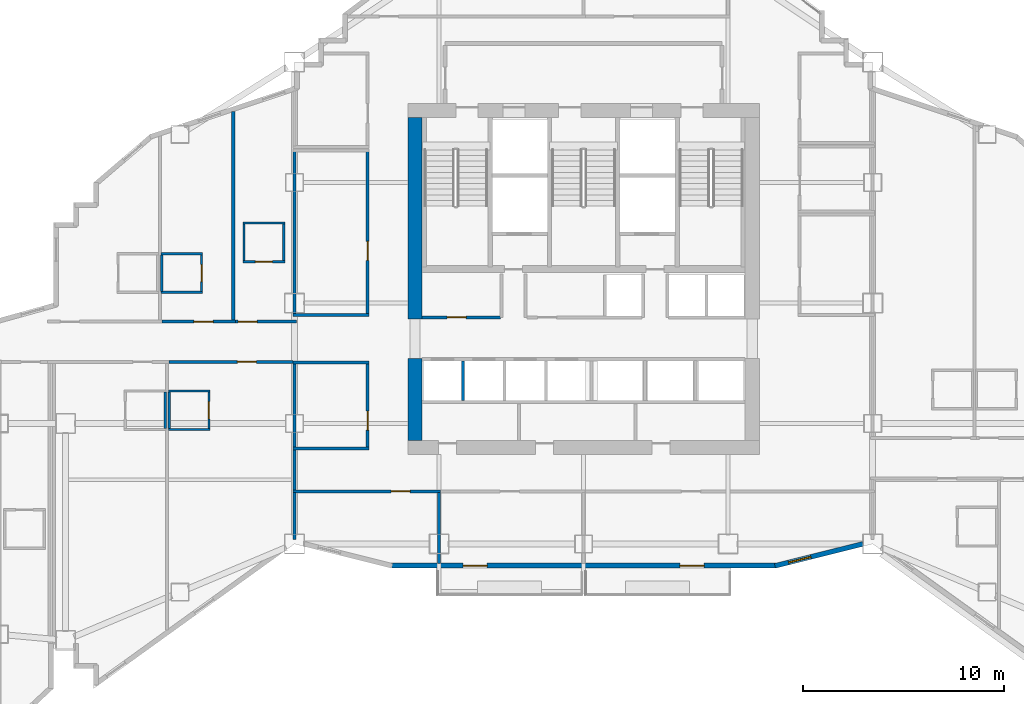
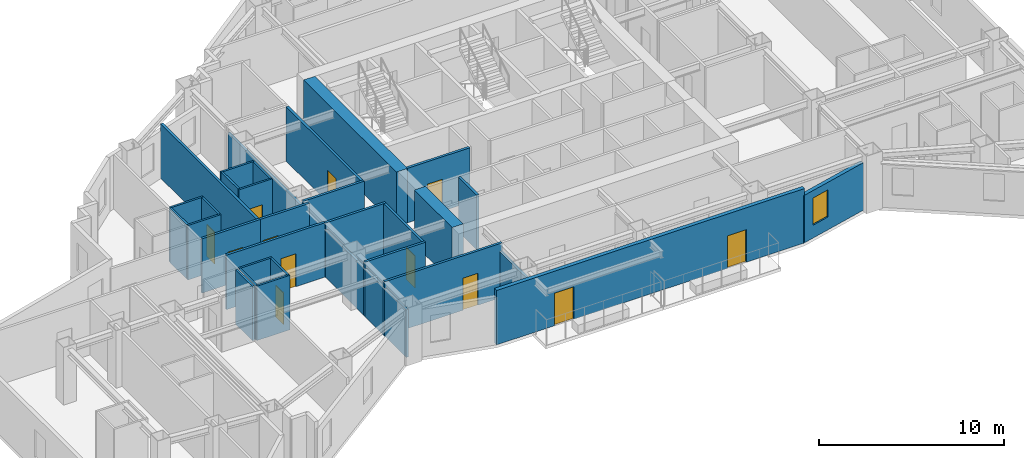
# One storey, part 8 of 14: 34 walls, 12 doors, 1 window, 13 openings.
"""IFC4 building model written with IfcOpenShell, lengths in metres."""

from ifc_helpers import new_model, si_unit, direction, frame, frame_2d, origin, place, context, subcontext, project, spatial, rectangle, extrude, material, layer, layer_set, type_object, element, fill, save


model = new_model("IFC4")

# Units and contexts
model_context = context("Model", 3, precision=1e-05, world=origin(), true_north=direction((0.0, 1.0)))
body_context = subcontext(model_context, "Body", "Model", "MODEL_VIEW")
ifc_project = project(units=[si_unit("LENGTHUNIT", "METRE"), si_unit("AREAUNIT", "SQUARE_METRE"), si_unit("VOLUMEUNIT", "CUBIC_METRE"), si_unit("PLANEANGLEUNIT", "RADIAN"), si_unit("MASSUNIT", "GRAM", prefix="KILO")], contexts=[model_context])

# Site, building, storey
site_placement = place(None, origin())
site = spatial("IfcSite", under=ifc_project, at=site_placement, CompositionType="ELEMENT")
building_placement = place(site_placement, origin())
building = spatial("IfcBuilding", under=site, at=building_placement, Name="Haolan Belvedere Tower", CompositionType="ELEMENT")
storey_placement = place(building_placement, frame((0.0, 0.0, 144.800048828125)))
storey = spatial("IfcBuildingStorey", under=building, at=storey_placement, Name="L36", CompositionType="ELEMENT", Elevation=144.800048828125)

# Walls
ifc_material_1 = material(Name="Concrete C60/75", Category="concrete")
ifc_layer_1 = layer(ifc_material_1, 0.699951171875, Name="Concrete C60/75")
ifc_layer_set_1 = layer_set([ifc_layer_1], Name="Concrete C60/75")
wall_type_1 = type_object("IfcWallType", Name="WL-CORE-700", PredefinedType="SHEAR", material=ifc_layer_set_1)
wall_1_placement = place(storey_placement, frame((30.0, 26.75, 0.0), z_axis=(0.0, 0.0, 1.0), x_axis=(0.0, 1.0, 0.0)))
element("IfcWall", 1, at=wall_1_placement, inside=storey, type_object=wall_type_1, Name="L36 central core shear wall WS", PredefinedType="SHEAR", context=body_context, shape_type="SweptSolid", body=[
    extrude(rectangle(XDim=4.10009765625, YDim=0.699951171875, at=frame_2d((2.050048828125, 0.0))), origin(), (0.0, 0.0, 1.0), 3.599853515625),
])
wall_2_placement = place(storey_placement, frame((30.0, 32.800048828125, 0.0), z_axis=(0.0, 0.0, 1.0), x_axis=(0.0, 1.0, 0.0)))
element("IfcWall", 2, at=wall_2_placement, inside=storey, type_object=wall_type_1, Name="L36 central core shear wall WN", PredefinedType="SHEAR", context=body_context, shape_type="SweptSolid", body=[
    extrude(rectangle(XDim=10.050048828125, YDim=0.699951171875, at=frame_2d((5.02490234375, 0.0))), origin(), (0.0, 0.0, 1.0), 3.599853515625),
])

# Wall, openings, doors
ifc_material_2 = material(Name="Precast concrete C40/50", Category="concrete")
ifc_layer_2 = layer(ifc_material_2, 0.239990234375, Name="Precast concrete C40/50")
ifc_layer_set_2 = layer_set([ifc_layer_2], Name="Precast concrete C40/50")
wall_type_2 = type_object("IfcWallType", Name="WL-EXT-240", PredefinedType="SOLIDWALL", material=ifc_layer_set_2)
wall_3_placement = place(storey_placement, frame((28.759765625, 20.52001953125, 0.0), z_axis=(0.0, 0.0, 1.0), x_axis=(1.0, 0.0, 0.0)))
wall_3 = element("IfcWall", 3, at=wall_3_placement, inside=storey, type_object=wall_type_2, Name="L36 pale-metal exterior spandrel wall 7.1", PredefinedType="SOLIDWALL", context=body_context, shape_type="SweptSolid", body=[
    extrude(rectangle(XDim=19.280517578125, YDim=0.239990234375, at=frame_2d((9.64013671875, 0.0))), origin(), (0.0, 0.0, 1.0), 3.599853515625),
])
opening_1_placement = place(wall_3_placement, frame((4.840087890625, 0.0, 0.0), z_axis=(0.0, 0.0, 1.0), x_axis=(-1.0, 0.0, 0.0)))
opening_1 = element("IfcOpeningElement", 4, at=opening_1_placement, cuts=wall_3, Name="Opening BD-01", PredefinedType="OPENING", context=body_context, shape_type="SweptSolid", body=[
    extrude(rectangle(XDim=1.199951171875, YDim=2.14990234375, at=frame_2d((0.60009765625, 1.074951171875))), frame((0.0, 0.1298828125, 0.0), z_axis=(0.0, -1.0, 0.0), x_axis=(1.0, 0.0, 0.0)), (0.0, 0.0, 1.0), 0.260009765625),
])
opening_2_placement = place(wall_3_placement, frame((15.64013671875, 0.0, 0.0), z_axis=(0.0, 0.0, 1.0), x_axis=(-1.0, 0.0, 0.0)))
opening_2 = element("IfcOpeningElement", 5, at=opening_2_placement, cuts=wall_3, Name="Opening BD-01", PredefinedType="OPENING", context=body_context, shape_type="SweptSolid", body=[
    extrude(rectangle(XDim=1.199951171875, YDim=2.14990234375, at=frame_2d((0.60009765625, 1.074951171875))), frame((0.0, 0.1298828125, 0.0), z_axis=(0.0, -1.0, 0.0), x_axis=(1.0, 0.0, 0.0)), (0.0, 0.0, 1.0), 0.260009765625),
])
ifc_material_3 = material(Name="Thermally broken pale-metal aluminium and Low-E glass", Category="aluminium")
door_type_1 = type_object("IfcDoorType", Name="DR-BAL-1200", OperationType="NOTDEFINED", PredefinedType="DOOR", material=ifc_material_3)
door_1_placement = place(opening_1_placement, origin())
door_1 = element("IfcDoor", 6, at=door_1_placement, inside=storey, type_object=door_type_1, Name="L36 tree-balcony access door 1", OperationType="SINGLE_SWING_RIGHT", OverallHeight=2.14990234375, OverallWidth=1.199951171875, PredefinedType="DOOR", context=body_context, shape_type="SweptSolid", body=[
    extrude(rectangle(XDim=1.199951171875, YDim=2.14990234375, at=frame_2d((0.60009765625, 1.074951171875))), frame((0.0, 0.02490234375, 0.0), z_axis=(0.0, -1.0, 0.0), x_axis=(1.0, 0.0, 0.0)), (0.0, 0.0, 1.0), 0.050048828125),
])
fill(opening_1, door_1)
door_2_placement = place(opening_2_placement, origin())
door_2 = element("IfcDoor", 7, at=door_2_placement, inside=storey, type_object=door_type_1, Name="L36 tree-balcony access door 2", OperationType="SINGLE_SWING_LEFT", OverallHeight=2.14990234375, OverallWidth=1.199951171875, PredefinedType="DOOR", context=body_context, shape_type="SweptSolid", body=[
    extrude(rectangle(XDim=1.199951171875, YDim=2.14990234375, at=frame_2d((0.60009765625, 1.074951171875))), frame((0.0, 0.02490234375, 0.0), z_axis=(0.0, -1.0, 0.0), x_axis=(1.0, 0.0, 0.0)), (0.0, 0.0, 1.0), 0.050048828125),
])
fill(opening_2, door_2)

# Wall, opening, window
wall_4_placement = place(storey_placement, frame((47.931884765625, 20.506591796875, 0.0), z_axis=(0.0, 0.0, 1.0), x_axis=(0.970145683738, 0.242522890311, 0.0)))
wall_4 = element("IfcWall", 8, at=wall_4_placement, inside=storey, type_object=wall_type_2, Name="L36 pale-metal exterior spandrel wall 8.1", PredefinedType="SOLIDWALL", context=body_context, shape_type="SweptSolid", body=[
    extrude(rectangle(XDim=4.510986328125, YDim=0.239990234375, at=frame_2d((2.25537109375, 0.0))), origin(), (0.0, 0.0, 1.0), 3.14501953125),
])
opening_3_placement = place(wall_4_placement, frame((0.699951171875, 0.0, 0.85009765625)))
opening_3 = element("IfcOpeningElement", 9, at=opening_3_placement, cuts=wall_4, Name="Opening W-02", PredefinedType="OPENING", context=body_context, shape_type="SweptSolid", body=[
    extrude(rectangle(XDim=1.14990234375, YDim=1.800048828125, at=frame_2d((0.574951171875, 0.89990234375))), frame((0.0, 0.1298828125, 0.0), z_axis=(0.0, -1.0, 0.0), x_axis=(1.0, 0.0, 0.0)), (0.0, 0.0, 1.0), 0.260009765625),
])
ifc_material_4 = material(Name="Anodised aluminium 6063-T6 and Low-E glass", Category="aluminium")
window_type = type_object("IfcWindowType", Name="WN-DECO-Z2", PartitioningType="SINGLE_PANEL", PredefinedType="WINDOW", material=ifc_material_4)
window_placement = place(opening_3_placement, origin())
window = element("IfcWindow", 10, at=window_placement, inside=storey, type_object=window_type, Name="L36 Art Deco chevron window 1", OverallHeight=1.800048828125, OverallWidth=1.14990234375, PartitioningType="SINGLE_PANEL", PredefinedType="WINDOW", context=body_context, shape_type="SweptSolid", body=[
    extrude(rectangle(XDim=1.14990234375, YDim=1.800048828125, at=frame_2d((0.574951171875, 0.89990234375))), frame((0.0, 0.030029296875, 0.0), z_axis=(0.0, -1.0, 0.0), x_axis=(1.0, 0.0, 0.0)), (0.0, 0.0, 1.0), 0.06005859375),
])
fill(opening_3, window)

# Walls
ifc_material_5 = material(Name="Double gypsum acoustic stud partition", Category="masonry")
ifc_layer_3 = layer(ifc_material_5, 0.14990234375, Name="Double gypsum acoustic stud partition")
ifc_layer_set_3 = layer_set([ifc_layer_3], Name="Double gypsum acoustic stud partition")
wall_type_3 = type_object("IfcWallType", Name="WL-PART-150", PredefinedType="PARTITIONING", material=ifc_layer_set_3)
wall_5_placement = place(storey_placement, frame((23.919921875, 33.0, 0.0), z_axis=(0.0, 0.0, 1.0), x_axis=(1.0, 0.0, 0.0)))
element("IfcWall", 11, at=wall_5_placement, inside=storey, type_object=wall_type_3, Name="L36 interior partition IW-L36-SAL-S", PredefinedType="PARTITIONING", context=body_context, shape_type="SweptSolid", body=[
    extrude(rectangle(XDim=3.800048828125, YDim=0.14990234375, at=frame_2d((1.89990234375, 0.0))), origin(), (0.0, 0.0, 1.0), 3.599853515625),
])
wall_6_placement = place(storey_placement, frame((24.0, 33.06005859375, 0.0), z_axis=(0.0, 0.0, 1.0), x_axis=(0.0, 1.0, 0.0)))
element("IfcWall", 12, at=wall_6_placement, inside=storey, type_object=wall_type_3, Name="L36 interior partition IW-L36-SAL-W", PredefinedType="PARTITIONING", context=body_context, shape_type="SweptSolid", body=[
    extrude(rectangle(XDim=8.079833984375, YDim=0.14990234375, at=frame_2d((4.0400390625, 0.0))), origin(), (0.0, 0.0, 1.0), 3.14501953125),
])

# Wall, opening, door
wall_7_placement = place(storey_placement, frame((27.639892578125, 33.06005859375, 0.0), z_axis=(0.0, 0.0, 1.0), x_axis=(0.0, 1.0, 0.0)))
wall_7 = element("IfcWall", 13, at=wall_7_placement, inside=storey, type_object=wall_type_3, Name="L36 interior partition IW-L36-SAL-E", PredefinedType="PARTITIONING", context=body_context, shape_type="SweptSolid", body=[
    extrude(rectangle(XDim=8.079833984375, YDim=0.14990234375, at=frame_2d((4.0400390625, 0.0))), origin(), (0.0, 0.0, 1.0), 3.599853515625),
])
opening_4_placement = place(wall_7_placement, frame((3.60986328125, 0.0, 0.0), z_axis=(0.0, 0.0, 1.0), x_axis=(-1.0, 0.0, 0.0)))
opening_4 = element("IfcOpeningElement", 14, at=opening_4_placement, cuts=wall_7, Name="Opening ID-03", PredefinedType="OPENING", context=body_context, shape_type="SweptSolid", body=[
    extrude(rectangle(XDim=0.949951171875, YDim=2.1201171875, at=frame_2d((0.47509765625, 1.06005859375))), frame((0.0, 0.0849609375, 0.0), z_axis=(0.0, -1.0, 0.0), x_axis=(1.0, 0.0, 0.0)), (0.0, 0.0, 1.0), 0.169921875),
])
ifc_material_6 = material(Name="Painted solid-core timber", Category="wood")
door_type_2 = type_object("IfcDoorType", Name="DR-INT-950", OperationType="NOTDEFINED", PredefinedType="DOOR", material=ifc_material_6)
door_3_placement = place(opening_4_placement, origin())
door_3 = element("IfcDoor", 15, at=door_3_placement, inside=storey, type_object=door_type_2, Name="L36 door ID-L36-SAL", OperationType="SINGLE_SWING_LEFT", OverallHeight=2.1201171875, OverallWidth=0.949951171875, PredefinedType="DOOR", context=body_context, shape_type="SweptSolid", body=[
    extrude(rectangle(XDim=0.949951171875, YDim=2.1201171875, at=frame_2d((0.47509765625, 1.06005859375))), frame((0.0, 0.02490234375, 0.0), z_axis=(0.0, -1.0, 0.0), x_axis=(1.0, 0.0, 0.0)), (0.0, 0.0, 1.0), 0.050048828125),
])
fill(opening_4, door_3)

# Walls
for number, where, z_axis, x_axis, name in (
    (16, (23.919921875, 30.6298828125, 0.0), (0.0, 0.0, 1.0), (1.0, 0.0, 0.0), "L36 interior partition IW-L36-PKTW-N"),
    (17, (23.919921875, 26.35009765625, 0.0), (0.0, 0.0, 1.0), (1.0, 0.0, 0.0), "L36 interior partition IW-L36-PKTW-S"),
):
    element("IfcWall", number, at=place(storey_placement, frame(where, z_axis=z_axis, x_axis=x_axis)), inside=storey, type_object=wall_type_3, Name=name, PredefinedType="PARTITIONING", context=body_context, shape_type="SweptSolid", body=[
        extrude(rectangle(XDim=3.800048828125, YDim=0.14990234375, at=frame_2d((1.89990234375, 0.0))), origin(), (0.0, 0.0, 1.0), 3.599853515625),
    ])
wall_8_placement = place(storey_placement, frame((24.0, 26.409912109375, 0.0), z_axis=(0.0, 0.0, 1.0), x_axis=(0.0, 1.0, 0.0)))
element("IfcWall", 18, at=wall_8_placement, inside=storey, type_object=wall_type_3, Name="L36 interior partition IW-L36-PKTW-W", PredefinedType="PARTITIONING", context=body_context, shape_type="SweptSolid", body=[
    extrude(rectangle(XDim=4.16015625, YDim=0.14990234375, at=frame_2d((2.080078125, 0.0))), origin(), (0.0, 0.0, 1.0), 3.14501953125),
])

# Wall, opening, door
wall_9_placement = place(storey_placement, frame((27.639892578125, 26.409912109375, 0.0), z_axis=(0.0, 0.0, 1.0), x_axis=(0.0, 1.0, 0.0)))
wall_9 = element("IfcWall", 19, at=wall_9_placement, inside=storey, type_object=wall_type_3, Name="L36 interior partition IW-L36-PKTW-E", PredefinedType="PARTITIONING", context=body_context, shape_type="SweptSolid", body=[
    extrude(rectangle(XDim=4.16015625, YDim=0.14990234375, at=frame_2d((2.080078125, 0.0))), origin(), (0.0, 0.0, 1.0), 3.599853515625),
])
opening_5_placement = place(wall_9_placement, frame((1.81005859375, 0.0, 0.0), z_axis=(0.0, 0.0, 1.0), x_axis=(-1.0, 0.0, 0.0)))
opening_5 = element("IfcOpeningElement", 20, at=opening_5_placement, cuts=wall_9, Name="Opening ID-03", PredefinedType="OPENING", context=body_context, shape_type="SweptSolid", body=[
    extrude(rectangle(XDim=0.949951171875, YDim=2.1201171875, at=frame_2d((0.47509765625, 1.06005859375))), frame((0.0, 0.0849609375, 0.0), z_axis=(0.0, -1.0, 0.0), x_axis=(1.0, 0.0, 0.0)), (0.0, 0.0, 1.0), 0.169921875),
])
door_4_placement = place(opening_5_placement, origin())
door_4 = element("IfcDoor", 21, at=door_4_placement, inside=storey, type_object=door_type_2, Name="L36 door ID-L36-PKTW", OperationType="SINGLE_SWING_LEFT", OverallHeight=2.1201171875, OverallWidth=0.949951171875, PredefinedType="DOOR", context=body_context, shape_type="SweptSolid", body=[
    extrude(rectangle(XDim=0.949951171875, YDim=2.1201171875, at=frame_2d((0.47509765625, 1.06005859375))), frame((0.0, 0.02490234375, 0.0), z_axis=(0.0, -1.0, 0.0), x_axis=(1.0, 0.0, 0.0)), (0.0, 0.0, 1.0), 0.050048828125),
])
fill(opening_5, door_4)

wall_10_placement = place(storey_placement, frame((23.919921875, 24.219970703125, 0.0), z_axis=(0.0, 0.0, 1.0), x_axis=(1.0, 0.0, 0.0)))
wall_10 = element("IfcWall", 22, at=wall_10_placement, inside=storey, type_object=wall_type_3, Name="L36 interior partition IW-L36-KS1-N", PredefinedType="PARTITIONING", context=body_context, shape_type="SweptSolid", body=[
    extrude(rectangle(XDim=7.360107421875, YDim=0.14990234375, at=frame_2d((3.68017578125, 0.0))), origin(), (0.0, 0.0, 1.0), 3.599853515625),
])
opening_6_placement = place(wall_10_placement, frame((5.844970703125, 0.0, 0.0), z_axis=(0.0, 0.0, 1.0), x_axis=(-1.0, 0.0, 0.0)))
opening_6 = element("IfcOpeningElement", 23, at=opening_6_placement, cuts=wall_10, Name="Opening ID-03", PredefinedType="OPENING", context=body_context, shape_type="SweptSolid", body=[
    extrude(rectangle(XDim=0.949951171875, YDim=2.1201171875, at=frame_2d((0.47509765625, 1.06005859375))), frame((0.0, 0.0849609375, 0.0), z_axis=(0.0, -1.0, 0.0), x_axis=(1.0, 0.0, 0.0)), (0.0, 0.0, 1.0), 0.169921875),
])
door_5_placement = place(opening_6_placement, origin())
door_5 = element("IfcDoor", 24, at=door_5_placement, inside=storey, type_object=door_type_2, Name="L36 door ID-L36-KS1", OperationType="SINGLE_SWING_RIGHT", OverallHeight=2.1201171875, OverallWidth=0.949951171875, PredefinedType="DOOR", context=body_context, shape_type="SweptSolid", body=[
    extrude(rectangle(XDim=0.949951171875, YDim=2.1201171875, at=frame_2d((0.47509765625, 1.06005859375))), frame((0.0, 0.02490234375, 0.0), z_axis=(0.0, -1.0, 0.0), x_axis=(1.0, 0.0, 0.0)), (0.0, 0.0, 1.0), 0.050048828125),
])
fill(opening_6, door_5)

# Walls
wall_11_placement = place(storey_placement, frame((24.0, 21.818603515625, 0.0), z_axis=(0.0, 0.0, 1.0), x_axis=(0.0, 1.0, 0.0)))
element("IfcWall", 25, at=wall_11_placement, inside=storey, type_object=wall_type_3, Name="L36 interior partition IW-L36-KS1-W", PredefinedType="PARTITIONING", context=body_context, shape_type="SweptSolid", body=[
    extrude(rectangle(XDim=2.34130859375, YDim=0.14990234375, at=frame_2d((1.170654296875, 0.0))), origin(), (0.0, 0.0, 1.0), 3.14501953125),
])
wall_12_placement = place(storey_placement, frame((31.199951171875, 20.625, 0.0), z_axis=(0.0, 0.0, 1.0), x_axis=(0.0, 1.0, 0.0)))
element("IfcWall", 26, at=wall_12_placement, inside=storey, type_object=wall_type_3, Name="L36 interior partition IW-L36-KS1-E", PredefinedType="PARTITIONING", context=body_context, shape_type="SweptSolid", body=[
    extrude(rectangle(XDim=3.534912109375, YDim=0.14990234375, at=frame_2d((1.767578125, 0.0))), origin(), (0.0, 0.0, 1.0), 3.0849609375),
])

# Wall, opening, door
wall_13_placement = place(storey_placement, frame((17.39208984375, 32.679931640625, 0.0), z_axis=(0.0, 0.0, 1.0), x_axis=(1.0, 0.0, 0.0)))
wall_13 = element("IfcWall", 27, at=wall_13_placement, inside=storey, type_object=wall_type_3, Name="L36 interior partition IW-L36-T2N2-S", PredefinedType="PARTITIONING", context=body_context, shape_type="SweptSolid", body=[
    extrude(rectangle(XDim=3.657958984375, YDim=0.14990234375, at=frame_2d((1.8291015625, 0.0))), origin(), (0.0, 0.0, 1.0), 3.599853515625),
])
opening_7_placement = place(wall_13_placement, frame((1.6005859375, 0.0, 0.0)))
opening_7 = element("IfcOpeningElement", 28, at=opening_7_placement, cuts=wall_13, Name="Opening ID-02", PredefinedType="OPENING", context=body_context, shape_type="SweptSolid", body=[
    extrude(rectangle(XDim=0.949951171875, YDim=2.14990234375, at=frame_2d((0.47509765625, 1.074951171875))), frame((0.0, 0.0849609375, 0.0), z_axis=(0.0, -1.0, 0.0), x_axis=(1.0, 0.0, 0.0)), (0.0, 0.0, 1.0), 0.169921875),
])
ifc_material_7 = material(Name="Acoustic oak veneer fire-rated timber", Category="wood")
door_type_3 = type_object("IfcDoorType", Name="DR-GUEST-950", OperationType="NOTDEFINED", PredefinedType="DOOR", material=ifc_material_7)
door_6_placement = place(opening_7_placement, origin())
door_6 = element("IfcDoor", 29, at=door_6_placement, inside=storey, type_object=door_type_3, Name="L36 door ID-L36-T2N2-ENT", OperationType="SINGLE_SWING_LEFT", OverallHeight=2.14990234375, OverallWidth=0.949951171875, PredefinedType="DOOR", context=body_context, shape_type="SweptSolid", body=[
    extrude(rectangle(XDim=0.949951171875, YDim=2.14990234375, at=frame_2d((0.47509765625, 1.074951171875))), frame((0.0, 0.02490234375, 0.0), z_axis=(0.0, -1.0, 0.0), x_axis=(1.0, 0.0, 0.0)), (0.0, 0.0, 1.0), 0.050048828125),
])
fill(opening_7, door_6)

# Wall
wall_14_placement = place(storey_placement, frame((20.949951171875, 32.739990234375, 0.0), z_axis=(0.0, 0.0, 1.0), x_axis=(0.0, 1.0, 0.0)))
element("IfcWall", 30, at=wall_14_placement, inside=storey, type_object=wall_type_3, Name="L36 interior partition IW-L36-T2N2-E", PredefinedType="PARTITIONING", context=body_context, shape_type="SweptSolid", body=[
    extrude(rectangle(XDim=10.40625, YDim=0.14990234375, at=frame_2d((5.203125, 0.0))), origin(), (0.0, 0.0, 1.0), 3.599853515625),
])

# Wall, opening, door
wall_15_placement = place(storey_placement, frame((21.052001953125, 32.679931640625, 0.0), z_axis=(0.0, 0.0, 1.0), x_axis=(1.0, 0.0, 0.0)))
wall_15 = element("IfcWall", 31, at=wall_15_placement, inside=storey, type_object=wall_type_3, Name="L36 interior partition IW-L36-T2N3-S", PredefinedType="PARTITIONING", context=body_context, shape_type="SweptSolid", body=[
    extrude(rectangle(XDim=3.048095703125, YDim=0.14990234375, at=frame_2d((1.52392578125, 0.0))), origin(), (0.0, 0.0, 1.0), 3.599853515625),
])
opening_8_placement = place(wall_15_placement, frame((0.139892578125, 0.0, 0.0)))
opening_8 = element("IfcOpeningElement", 32, at=opening_8_placement, cuts=wall_15, Name="Opening ID-02", PredefinedType="OPENING", context=body_context, shape_type="SweptSolid", body=[
    extrude(rectangle(XDim=0.949951171875, YDim=2.14990234375, at=frame_2d((0.47509765625, 1.074951171875))), frame((0.0, 0.0849609375, 0.0), z_axis=(0.0, -1.0, 0.0), x_axis=(1.0, 0.0, 0.0)), (0.0, 0.0, 1.0), 0.169921875),
])
door_7_placement = place(opening_8_placement, origin())
door_7 = element("IfcDoor", 33, at=door_7_placement, inside=storey, type_object=door_type_3, Name="L36 door ID-L36-T2N3-ENT", OperationType="SINGLE_SWING_RIGHT", OverallHeight=2.14990234375, OverallWidth=0.949951171875, PredefinedType="DOOR", context=body_context, shape_type="SweptSolid", body=[
    extrude(rectangle(XDim=0.949951171875, YDim=2.14990234375, at=frame_2d((0.47509765625, 1.074951171875))), frame((0.0, 0.02490234375, 0.0), z_axis=(0.0, -1.0, 0.0), x_axis=(1.0, 0.0, 0.0)), (0.0, 0.0, 1.0), 0.050048828125),
])
fill(opening_8, door_7)

wall_16_placement = place(storey_placement, frame((17.761962890625, 30.669921875, 0.0), z_axis=(0.0, 0.0, 1.0), x_axis=(1.0, 0.0, 0.0)))
wall_16 = element("IfcWall", 34, at=wall_16_placement, inside=storey, type_object=wall_type_3, Name="L36 interior partition IW-L36-T2S2-N", PredefinedType="PARTITIONING", context=body_context, shape_type="SweptSolid", body=[
    extrude(rectangle(XDim=6.156005859375, YDim=0.14990234375, at=frame_2d((3.078125, 0.0))), origin(), (0.0, 0.0, 1.0), 3.599853515625),
])
opening_9_placement = place(wall_16_placement, frame((4.3388671875, 0.0, 0.0), z_axis=(0.0, 0.0, 1.0), x_axis=(-1.0, 0.0, 0.0)))
opening_9 = element("IfcOpeningElement", 35, at=opening_9_placement, cuts=wall_16, Name="Opening ID-01", PredefinedType="OPENING", context=body_context, shape_type="SweptSolid", body=[
    extrude(rectangle(XDim=0.949951171875, YDim=2.179931640625, at=frame_2d((0.47509765625, 1.08984375))), frame((0.0, 0.0849609375, 0.0), z_axis=(0.0, -1.0, 0.0), x_axis=(1.0, 0.0, 0.0)), (0.0, 0.0, 1.0), 0.169921875),
])
ifc_material_8 = material(Name="Acoustic walnut veneer fire-rated timber", Category="wood")
door_type_4 = type_object("IfcDoorType", Name="DR-SUITE-950", OperationType="NOTDEFINED", PredefinedType="DOOR", material=ifc_material_8)
door_8_placement = place(opening_9_placement, origin())
door_8 = element("IfcDoor", 36, at=door_8_placement, inside=storey, type_object=door_type_4, Name="L36 door ID-L36-T2S2-ENT", OperationType="SINGLE_SWING_RIGHT", OverallHeight=2.179931640625, OverallWidth=0.949951171875, PredefinedType="DOOR", context=body_context, shape_type="SweptSolid", body=[
    extrude(rectangle(XDim=0.949951171875, YDim=2.179931640625, at=frame_2d((0.47509765625, 1.08984375))), frame((0.0, 0.02490234375, 0.0), z_axis=(0.0, -1.0, 0.0), x_axis=(1.0, 0.0, 0.0)), (0.0, 0.0, 1.0), 0.050048828125),
])
fill(opening_9, door_8)

# Wall
wall_17_placement = place(storey_placement, frame((24.0, 24.280029296875, 0.0), z_axis=(0.0, 0.0, 1.0), x_axis=(0.0, 1.0, 0.0)))
element("IfcWall", 37, at=wall_17_placement, inside=storey, type_object=wall_type_3, Name="L36 interior partition IW-L36-T2S2-E", PredefinedType="PARTITIONING", context=body_context, shape_type="SweptSolid", body=[
    extrude(rectangle(XDim=2.010009765625, YDim=0.14990234375, at=frame_2d((1.0048828125, 0.0))), origin(), (0.0, 0.0, 1.0), 3.14501953125),
])

# Wall, opening, door
ifc_material_9 = material(Name="Gypsum fire shaftwall assembly", Category="masonry")
ifc_layer_4 = layer(ifc_material_9, 0.1650390625, Name="Gypsum fire shaftwall assembly")
ifc_layer_set_4 = layer_set([ifc_layer_4], Name="Gypsum fire shaftwall assembly")
wall_type_4 = type_object("IfcWallType", Name="WL-SHAFT-160", PredefinedType="SOLIDWALL", material=ifc_layer_set_4)
wall_18_placement = place(storey_placement, frame((30.35009765625, 32.8798828125, 0.0), z_axis=(0.0, 0.0, 1.0), x_axis=(1.0, 0.0, 0.0)))
wall_18 = element("IfcWall", 38, at=wall_18_placement, inside=storey, type_object=wall_type_4, Name="L36 interior partition IW-L36-ROW-PN1", PredefinedType="SOLIDWALL", context=body_context, shape_type="SweptSolid", body=[
    extrude(rectangle(XDim=3.89990234375, YDim=0.159912109375, at=frame_2d((1.949951171875, 0.0))), origin(), (0.0, 0.0, 1.0), 3.599853515625),
])
opening_10_placement = place(wall_18_placement, frame((2.199951171875, 0.0, 0.0), z_axis=(0.0, 0.0, 1.0), x_axis=(-1.0, 0.0, 0.0)))
opening_10 = element("IfcOpeningElement", 39, at=opening_10_placement, cuts=wall_18, Name="Opening ID-03", PredefinedType="OPENING", context=body_context, shape_type="SweptSolid", body=[
    extrude(rectangle(XDim=0.949951171875, YDim=2.1201171875, at=frame_2d((0.47509765625, 1.06005859375))), frame((0.0, 0.08984375, 0.0), z_axis=(0.0, -1.0, 0.0), x_axis=(1.0, 0.0, 0.0)), (0.0, 0.0, 1.0), 0.179931640625),
])
door_9_placement = place(opening_10_placement, origin())
door_9 = element("IfcDoor", 40, at=door_9_placement, inside=storey, type_object=door_type_2, Name="L36 door ID-L36-CD-RPLW", OperationType="SINGLE_SWING_LEFT", OverallHeight=2.1201171875, OverallWidth=0.949951171875, PredefinedType="DOOR", context=body_context, shape_type="SweptSolid", body=[
    extrude(rectangle(XDim=0.949951171875, YDim=2.1201171875, at=frame_2d((0.47509765625, 1.06005859375))), frame((0.0, 0.02490234375, 0.0), z_axis=(0.0, -1.0, 0.0), x_axis=(1.0, 0.0, 0.0)), (0.0, 0.0, 1.0), 0.050048828125),
])
fill(opening_10, door_9)

# Walls
wall_19_placement = place(storey_placement, frame((32.39990234375, 28.735107421875, 0.0), z_axis=(0.0, 0.0, 1.0), x_axis=(0.0, 1.0, 0.0)))
element("IfcWall", 41, at=wall_19_placement, inside=storey, type_object=wall_type_4, Name="L36 interior partition IW-L36-DIV-PM1", PredefinedType="SOLIDWALL", context=body_context, shape_type="SweptSolid", body=[
    extrude(rectangle(XDim=1.98486328125, YDim=0.14990234375, at=frame_2d((0.992431640625, 0.0))), origin(), (0.0, 0.0, 1.0), 3.599853515625),
])
ifc_material_10 = material(Name="Moisture-resistant gypsum tile partition", Category="masonry")
ifc_layer_5 = layer(ifc_material_10, 0.1201171875, Name="Moisture-resistant gypsum tile partition")
ifc_layer_set_5 = layer_set([ifc_layer_5], Name="Moisture-resistant gypsum tile partition")
wall_type_5 = type_object("IfcWallType", Name="WL-WET-120", PredefinedType="PARTITIONING", material=ifc_layer_set_5)
for number, where, z_axis, x_axis, name in (
    (42, (17.35009765625, 36.050048828125, 0.0), (0.0, 0.0, 1.0), (1.0, 0.0, 0.0), "L36 interior partition IW-L36-T2N2-BN"),
    (43, (17.35009765625, 34.1298828125, 0.0), (0.0, 0.0, 1.0), (1.0, 0.0, 0.0), "L36 interior partition IW-L36-T2N2-BS"),
):
    element("IfcWall", number, at=place(storey_placement, frame(where, z_axis=z_axis, x_axis=x_axis)), inside=storey, type_object=wall_type_5, Name=name, PredefinedType="PARTITIONING", context=body_context, shape_type="SweptSolid", body=[
        extrude(rectangle(XDim=2.079833984375, YDim=0.1201171875, at=frame_2d((1.0400390625, 0.0))), origin(), (0.0, 0.0, 1.0), 3.599853515625),
    ])
wall_20_placement = place(storey_placement, frame((17.389892578125, 34.175048828125, 0.0), z_axis=(0.0, 0.0, 1.0), x_axis=(0.0, 1.0, 0.0)))
element("IfcWall", 44, at=wall_20_placement, inside=storey, type_object=wall_type_5, Name="L36 interior partition IW-L36-T2N2-BW", PredefinedType="PARTITIONING", context=body_context, shape_type="SweptSolid", body=[
    extrude(rectangle(XDim=1.829833984375, YDim=0.1201171875, at=frame_2d((0.9150390625, 0.0))), origin(), (0.0, 0.0, 1.0), 3.599853515625),
])

# Wall, opening, door
wall_21_placement = place(storey_placement, frame((19.3701171875, 34.175048828125, 0.0), z_axis=(0.0, 0.0, 1.0), x_axis=(0.0, 1.0, 0.0)))
wall_21 = element("IfcWall", 45, at=wall_21_placement, inside=storey, type_object=wall_type_5, Name="L36 interior partition IW-L36-T2N2-BE", PredefinedType="PARTITIONING", context=body_context, shape_type="SweptSolid", body=[
    extrude(rectangle(XDim=1.829833984375, YDim=0.1201171875, at=frame_2d((0.9150390625, 0.0))), origin(), (0.0, 0.0, 1.0), 3.599853515625),
])
opening_11_placement = place(wall_21_placement, frame((0.489990234375, 0.0, 0.0)))
opening_11 = element("IfcOpeningElement", 46, at=opening_11_placement, cuts=wall_21, Name="Opening ID-05", PredefinedType="OPENING", context=body_context, shape_type="SweptSolid", body=[
    extrude(rectangle(XDim=0.85009765625, YDim=2.10009765625, at=frame_2d((0.425048828125, 1.050048828125))), frame((0.0, 0.070068359375, 0.0), z_axis=(0.0, -1.0, 0.0), x_axis=(1.0, 0.0, 0.0)), (0.0, 0.0, 1.0), 0.14013671875),
])
ifc_material_11 = material(Name="Moisture-resistant lacquered timber", Category="wood")
door_type_5 = type_object("IfcDoorType", Name="DR-BATH-850", OperationType="NOTDEFINED", PredefinedType="DOOR", material=ifc_material_11)
door_10_placement = place(opening_11_placement, origin())
door_10 = element("IfcDoor", 47, at=door_10_placement, inside=storey, type_object=door_type_5, Name="L36 door ID-L36-T2N2-BATH", OperationType="SINGLE_SWING_RIGHT", OverallHeight=2.10009765625, OverallWidth=0.85009765625, PredefinedType="DOOR", context=body_context, shape_type="SweptSolid", body=[
    extrude(rectangle(XDim=0.85009765625, YDim=2.10009765625, at=frame_2d((0.425048828125, 1.050048828125))), frame((0.0, 0.02490234375, 0.0), z_axis=(0.0, -1.0, 0.0), x_axis=(1.0, 0.0, 0.0)), (0.0, 0.0, 1.0), 0.050048828125),
])
fill(opening_11, door_10)

# Wall
wall_22_placement = place(storey_placement, frame((21.425048828125, 37.5849609375, 0.0), z_axis=(0.0, 0.0, 1.0), x_axis=(1.0, 0.0, 0.0)))
element("IfcWall", 48, at=wall_22_placement, inside=storey, type_object=wall_type_5, Name="L36 interior partition IW-L36-T2N3-BN", PredefinedType="PARTITIONING", context=body_context, shape_type="SweptSolid", body=[
    extrude(rectangle(XDim=2.099853515625, YDim=0.1201171875, at=frame_2d((1.0498046875, 0.0))), origin(), (0.0, 0.0, 1.0), 3.599853515625),
])

# Wall, opening, door
wall_23_placement = place(storey_placement, frame((21.425048828125, 35.6650390625, 0.0), z_axis=(0.0, 0.0, 1.0), x_axis=(1.0, 0.0, 0.0)))
wall_23 = element("IfcWall", 49, at=wall_23_placement, inside=storey, type_object=wall_type_5, Name="L36 interior partition IW-L36-T2N3-BS", PredefinedType="PARTITIONING", context=body_context, shape_type="SweptSolid", body=[
    extrude(rectangle(XDim=2.099853515625, YDim=0.1201171875, at=frame_2d((1.0498046875, 0.0))), origin(), (0.0, 0.0, 1.0), 3.599853515625),
])
opening_12_placement = place(wall_23_placement, frame((0.625, 0.0, 0.0)))
opening_12 = element("IfcOpeningElement", 50, at=opening_12_placement, cuts=wall_23, Name="Opening ID-05", PredefinedType="OPENING", context=body_context, shape_type="SweptSolid", body=[
    extrude(rectangle(XDim=0.85009765625, YDim=2.10009765625, at=frame_2d((0.425048828125, 1.050048828125))), frame((0.0, 0.070068359375, 0.0), z_axis=(0.0, -1.0, 0.0), x_axis=(1.0, 0.0, 0.0)), (0.0, 0.0, 1.0), 0.14013671875),
])
door_11_placement = place(opening_12_placement, origin())
door_11 = element("IfcDoor", 51, at=door_11_placement, inside=storey, type_object=door_type_5, Name="L36 door ID-L36-T2N3-BATH", OperationType="SINGLE_SWING_LEFT", OverallHeight=2.10009765625, OverallWidth=0.85009765625, PredefinedType="DOOR", context=body_context, shape_type="SweptSolid", body=[
    extrude(rectangle(XDim=0.85009765625, YDim=2.10009765625, at=frame_2d((0.425048828125, 1.050048828125))), frame((0.0, 0.02490234375, 0.0), z_axis=(0.0, -1.0, 0.0), x_axis=(1.0, 0.0, 0.0)), (0.0, 0.0, 1.0), 0.050048828125),
])
fill(opening_12, door_11)

# Walls
for number, where, z_axis, x_axis, name in (
    (52, (21.485107421875, 35.7099609375, 0.0), (0.0, 0.0, 1.0), (0.0, 1.0, 0.0), "L36 interior partition IW-L36-T2N3-BW"),
    (53, (23.465087890625, 35.7099609375, 0.0), (0.0, 0.0, 1.0), (0.0, 1.0, 0.0), "L36 interior partition IW-L36-T2N3-BE"),
    (54, (17.56005859375, 27.344970703125, 0.0), (0.0, 0.0, 1.0), (0.0, 1.0, 0.0), "L36 interior partition IW-L36-T2S1-BE"),
):
    element("IfcWall", number, at=place(storey_placement, frame(where, z_axis=z_axis, x_axis=x_axis)), inside=storey, type_object=wall_type_5, Name=name, PredefinedType="PARTITIONING", context=body_context, shape_type="SweptSolid", body=[
        extrude(rectangle(XDim=1.830078125, YDim=0.1201171875, at=frame_2d((0.9150390625, 0.0))), origin(), (0.0, 0.0, 1.0), 3.599853515625),
    ])
for number, where, z_axis, x_axis, name in (
    (55, (17.719970703125, 29.219970703125, 0.0), (0.0, 0.0, 1.0), (1.0, 0.0, 0.0), "L36 interior partition IW-L36-T2S2-BN"),
    (56, (17.719970703125, 27.300048828125, 0.0), (0.0, 0.0, 1.0), (1.0, 0.0, 0.0), "L36 interior partition IW-L36-T2S2-BS"),
):
    element("IfcWall", number, at=place(storey_placement, frame(where, z_axis=z_axis, x_axis=x_axis)), inside=storey, type_object=wall_type_5, Name=name, PredefinedType="PARTITIONING", context=body_context, shape_type="SweptSolid", body=[
        extrude(rectangle(XDim=2.080078125, YDim=0.1201171875, at=frame_2d((1.0400390625, 0.0))), origin(), (0.0, 0.0, 1.0), 3.599853515625),
    ])
wall_24_placement = place(storey_placement, frame((17.760009765625, 27.344970703125, 0.0), z_axis=(0.0, 0.0, 1.0), x_axis=(0.0, 1.0, 0.0)))
element("IfcWall", 57, at=wall_24_placement, inside=storey, type_object=wall_type_5, Name="L36 interior partition IW-L36-T2S2-BW", PredefinedType="PARTITIONING", context=body_context, shape_type="SweptSolid", body=[
    extrude(rectangle(XDim=1.830078125, YDim=0.1201171875, at=frame_2d((0.9150390625, 0.0))), origin(), (0.0, 0.0, 1.0), 3.599853515625),
])

# Wall, opening, door
wall_25_placement = place(storey_placement, frame((19.739990234375, 27.344970703125, 0.0), z_axis=(0.0, 0.0, 1.0), x_axis=(0.0, 1.0, 0.0)))
wall_25 = element("IfcWall", 58, at=wall_25_placement, inside=storey, type_object=wall_type_5, Name="L36 interior partition IW-L36-T2S2-BE", PredefinedType="PARTITIONING", context=body_context, shape_type="SweptSolid", body=[
    extrude(rectangle(XDim=1.830078125, YDim=0.1201171875, at=frame_2d((0.9150390625, 0.0))), origin(), (0.0, 0.0, 1.0), 3.599853515625),
])
opening_13_placement = place(wall_25_placement, frame((0.489990234375, 0.0, 0.0)))
opening_13 = element("IfcOpeningElement", 59, at=opening_13_placement, cuts=wall_25, Name="Opening ID-05", PredefinedType="OPENING", context=body_context, shape_type="SweptSolid", body=[
    extrude(rectangle(XDim=0.85009765625, YDim=2.10009765625, at=frame_2d((0.425048828125, 1.050048828125))), frame((0.0, 0.070068359375, 0.0), z_axis=(0.0, -1.0, 0.0), x_axis=(1.0, 0.0, 0.0)), (0.0, 0.0, 1.0), 0.14013671875),
])
door_12_placement = place(opening_13_placement, origin())
door_12 = element("IfcDoor", 60, at=door_12_placement, inside=storey, type_object=door_type_5, Name="L36 door ID-L36-T2S2-BATH", OperationType="SINGLE_SWING_LEFT", OverallHeight=2.10009765625, OverallWidth=0.85009765625, PredefinedType="DOOR", context=body_context, shape_type="SweptSolid", body=[
    extrude(rectangle(XDim=0.85009765625, YDim=2.10009765625, at=frame_2d((0.425048828125, 1.050048828125))), frame((0.0, 0.02490234375, 0.0), z_axis=(0.0, -1.0, 0.0), x_axis=(1.0, 0.0, 0.0)), (0.0, 0.0, 1.0), 0.050048828125),
])
fill(opening_13, door_12)

save(model, "model.ifc")
